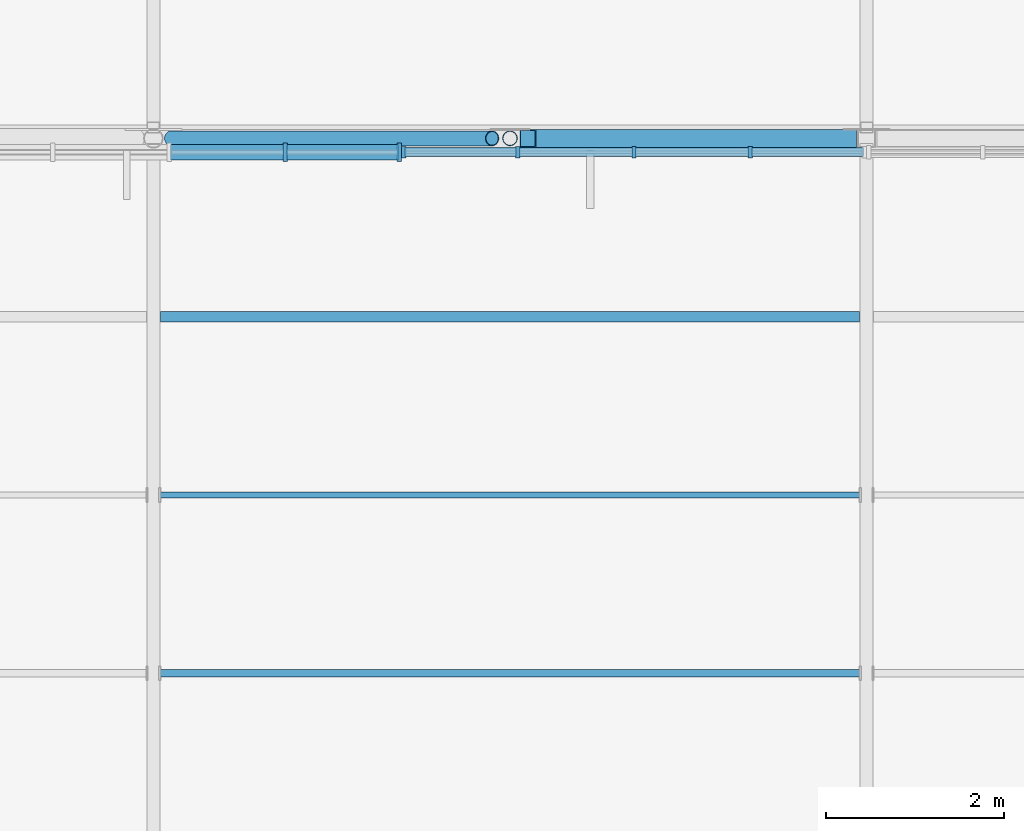
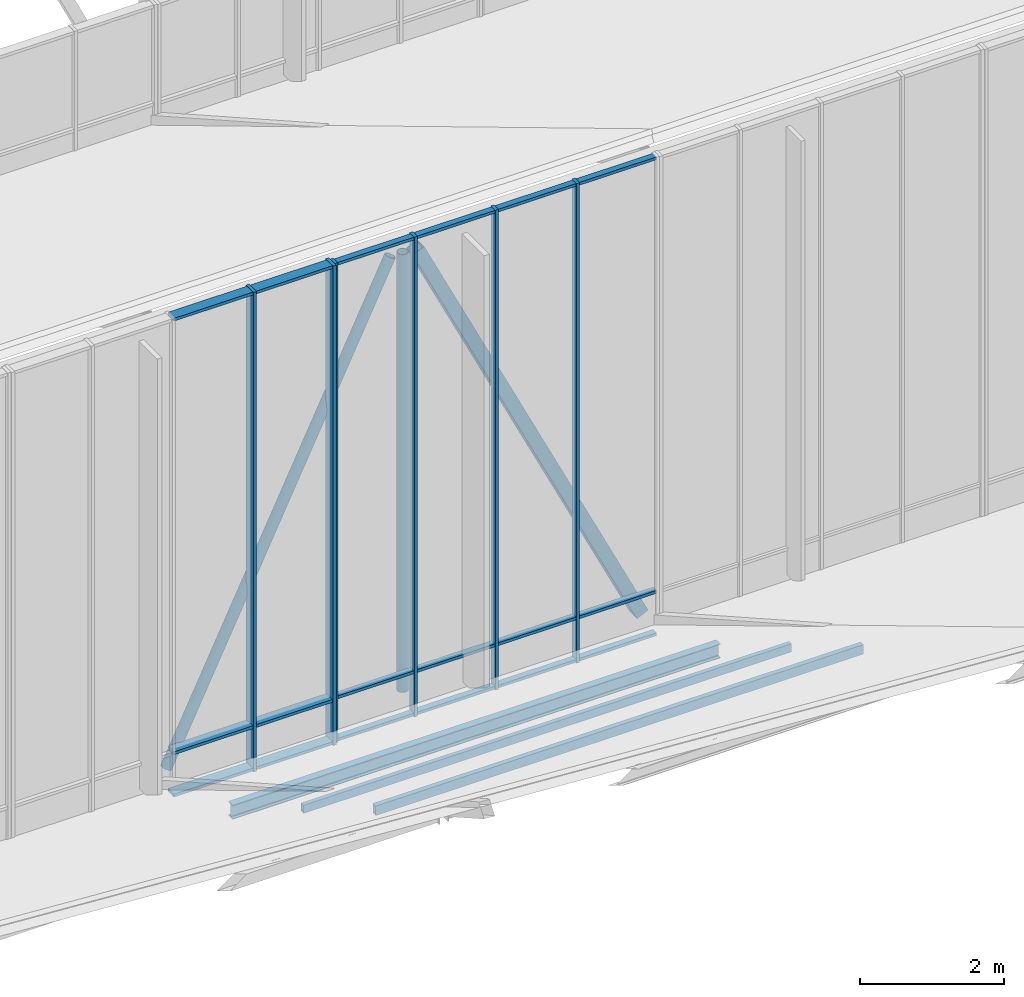
# One storey, part 53 of 155: 30 members, 2 elements without a shape of their own.
"""IFC4 building model written with IfcOpenShell, lengths in metres."""

import ifcopenshell
import ifcopenshell.guid

model = None  # the IFC model being written
_history = None  # IfcOwnerHistory: only IFC2X3 demands one
_inside = {}  # id of a spatial element -> (the spatial element, [elements in it])
_under = {}  # id of a project, library or spatial element -> (it, [spatial elements below it])
_declared = {}  # id of a project -> (the project, [libraries it declares])
_typed = {}  # id of a type object -> (the type object, [elements of that type])
_made_of = {}  # id of a material, layer set ... -> (it, [elements and type objects made of it])


def new_model(schema):
    """Start an empty IFC model of exactly this schema.

    Asked for "IFC4X3", IfcOpenShell would pick the latest addendum, in which some entities
    have other attributes; the version numbers below select the first issue.
    IFC2X3 requires an IfcOwnerHistory on every rooted entity: one is made here for all.
    """
    global model, _history
    if schema == "IFC4X3":
        model = ifcopenshell.file(schema_version=(4, 3, 0, 0))
    else:
        model = ifcopenshell.file(schema=schema)
    _inside.clear()
    _under.clear()
    _declared.clear()
    _typed.clear()
    _made_of.clear()
    _history = None
    if model.schema == "IFC2X3":
        org = make("IfcOrganization", Name="unknown")
        user = make(
            "IfcPersonAndOrganization",
            ThePerson=make("IfcPerson", FamilyName="unknown"),
            TheOrganization=org,
        )
        app = make(
            "IfcApplication",
            ApplicationDeveloper=org,
            Version="unknown",
            ApplicationFullName="unknown",
            ApplicationIdentifier="unknown",
        )
        _history = make(
            "IfcOwnerHistory",
            OwningUser=user,
            OwningApplication=app,
            ChangeAction="ADDED",
            CreationDate=0,
        )
    return model


def make(cls, **values):
    """One entity of the class cls with the attributes given. An attribute that is None is left unset."""
    return model.create_entity(
        cls, **{name: value for name, value in values.items() if value is not None}
    )


def rooted(cls, **values):
    """An entity with a GlobalId (a new one), such as an element, a storey or a relation."""
    return make(cls, GlobalId=ifcopenshell.guid.new(), OwnerHistory=_history, **values)


def si_unit(unit_type, name, prefix=None):
    """IfcSIUnit, for example si_unit("LENGTHUNIT", "METRE", prefix="MILLI")."""
    return make("IfcSIUnit", UnitType=unit_type, Prefix=prefix, Name=name)


def assignment(units):
    """IfcUnitAssignment: the units of a project."""
    return None if units is None else make("IfcUnitAssignment", Units=units)


def point(xyz):
    """IfcCartesianPoint."""
    return None if xyz is None else make("IfcCartesianPoint", Coordinates=xyz)


def direction(xyz):
    """IfcDirection."""
    return None if xyz is None else make("IfcDirection", DirectionRatios=xyz)


def frame(location, z_axis=None, x_axis=None):
    """IfcAxis2Placement3D, a coordinate frame: its origin and axes. An axis left out is left unset."""
    return make(
        "IfcAxis2Placement3D",
        Location=point(location),
        Axis=direction(z_axis),
        RefDirection=direction(x_axis),
    )


def frame_2d(location, x_axis=None):
    """IfcAxis2Placement2D, a coordinate frame in the plane: its origin and x axis."""
    return make(
        "IfcAxis2Placement2D", Location=point(location), RefDirection=direction(x_axis)
    )


def origin():
    """The frame at (0, 0, 0) with its axes left unset."""
    return frame((0.0, 0.0, 0.0))


def origin_2d():
    """The frame at (0, 0) in the plane with its x axis left unset."""
    return frame_2d((0.0, 0.0))


def place(relative_to, where):
    """IfcLocalPlacement: puts the frame where relative to a parent placement (None: the world)."""
    return make(
        "IfcLocalPlacement", PlacementRelTo=relative_to, RelativePlacement=where
    )


def context(
    kind, dimensions, precision=None, world=None, true_north=None, identifier=None
):
    """IfcGeometricRepresentationContext, for example the 3D "Model" context."""
    return make(
        "IfcGeometricRepresentationContext",
        ContextIdentifier=identifier,
        ContextType=kind,
        CoordinateSpaceDimension=dimensions,
        Precision=precision,
        WorldCoordinateSystem=world,
        TrueNorth=true_north,
    )


def subcontext(parent, identifier, kind, view, scale=None):
    """IfcGeometricRepresentationSubContext, for example "Body" below "Model"."""
    return make(
        "IfcGeometricRepresentationSubContext",
        ContextIdentifier=identifier,
        ContextType=kind,
        ParentContext=parent,
        TargetScale=scale,
        TargetView=view,
    )


def project(units=None, contexts=None):
    """IfcProject with its units and contexts."""
    return rooted(
        "IfcProject",
        Name="project",
        RepresentationContexts=contexts,
        UnitsInContext=assignment(units),
    )


def spatial(cls, under=None, at=None, **own):
    """A site, building, storey or space (cls), placed at a placement, below another one or the project."""
    s = rooted(cls, ObjectPlacement=at, **own)
    if under is not None:
        _under.setdefault(under.id(), (under, []))[1].append(s)
    return s


def profile(cls, at=None, kind="AREA", **sizes):
    """A parametric profile (cls). Its sizes go by their IFC names, for example OverallWidth=200.0."""
    return make(cls, ProfileType=kind, Position=at, **sizes)


def rectangle(**sizes):
    """IfcRectangleProfileDef."""
    return profile("IfcRectangleProfileDef", **sizes)


def hollow_rectangle(**sizes):
    """IfcRectangleHollowProfileDef."""
    return profile("IfcRectangleHollowProfileDef", **sizes)


def hollow_circle(**sizes):
    """IfcCircleHollowProfileDef."""
    return profile("IfcCircleHollowProfileDef", **sizes)


def i_section(**sizes):
    """IfcIShapeProfileDef."""
    return profile("IfcIShapeProfileDef", **sizes)


def extrude(swept, where, along, depth):
    """IfcExtrudedAreaSolid: the profile swept, set in the frame where, extruded along a direction by depth."""
    return make(
        "IfcExtrudedAreaSolid",
        SweptArea=swept,
        Position=where,
        ExtrudedDirection=direction(along),
        Depth=depth,
    )


def shape(context_of_items, identifier, shape_type, items):
    """IfcShapeRepresentation: the items that make up one representation, for example the "Body"."""
    return make(
        "IfcShapeRepresentation",
        ContextOfItems=context_of_items,
        RepresentationIdentifier=identifier,
        RepresentationType=shape_type,
        Items=items,
    )


def material(Name=None, Category=None):
    """IfcMaterial."""
    return make("IfcMaterial", Name=Name, Category=Category)


def material_profile(
    of_material, cross_section, Name=None, Category=None, Priority=None
):
    """IfcMaterialProfile: a cross section and its material."""
    return make(
        "IfcMaterialProfile",
        Name=Name,
        Material=of_material,
        Profile=cross_section,
        Priority=Priority,
        Category=Category,
    )


def profile_set(profiles, Name=None, composite=None):
    """IfcMaterialProfileSet."""
    return make(
        "IfcMaterialProfileSet",
        Name=Name,
        MaterialProfiles=profiles,
        CompositeProfile=composite,
    )


def made_of(thing, what):
    """Note that an element or type object is made of a material, layer set ...; save() writes the relation."""
    if what is not None:
        _made_of.setdefault(what.id(), (what, []))[1].append(thing)
    return thing


def type_object(cls, material=None, **own):
    """A type object (cls), such as IfcWallType, which elements share."""
    return made_of(rooted(cls, **own), material)


def element(
    cls,
    number,
    at=None,
    inside=None,
    cuts=None,
    type_object=None,
    material=None,
    context=None,
    identifier="Body",
    shape_type=None,
    held_by="IfcProductDefinitionShape",
    body=None,
    shapes=None,
    **own,
):
    """One element of the class cls, such as IfcWall. Its Tag is "e" and its number.

    at: its placement. inside: the storey or other place that contains it. cuts: it is an
    opening in that element (IfcRelVoidsElement). A single representation is given by context,
    identifier, shape_type and body (its items); several are given by shapes. held_by: the class
    of the entity that holds the representations. save() writes the other relations.
    """
    e = rooted(cls, Tag="e%d" % number, ObjectPlacement=at, **own)
    if body is not None:
        shapes = [shape(context, identifier, shape_type, body)]
    if shapes is not None:
        e.Representation = make(held_by, Representations=shapes)
    if inside is not None:
        _inside.setdefault(inside.id(), (inside, []))[1].append(e)
    if cuts is not None:
        rooted(
            "IfcRelVoidsElement", RelatingBuildingElement=cuts, RelatedOpeningElement=e
        )
    if type_object is not None:
        _typed.setdefault(type_object.id(), (type_object, []))[1].append(e)
    return made_of(e, material)


def aggregate(whole, parts):
    """IfcRelAggregates: a whole, such as a stair, and the parts it consists of."""
    return rooted("IfcRelAggregates", RelatingObject=whole, RelatedObjects=parts)


def save(model, path):
    """Write the relations noted so far, then the file.

    IfcRelAggregates (storeys below a building ...), IfcRelContainedInSpatialStructure (elements
    in a storey), IfcRelDefinesByType, IfcRelAssociatesMaterial and IfcRelDeclares: one each for
    every whole, place, type object, material and project.
    """
    for whole, parts in _under.values():
        aggregate(whole, parts)
    for where, things in _inside.values():
        rooted(
            "IfcRelContainedInSpatialStructure",
            RelatedElements=things,
            RelatingStructure=where,
        )
    for kind, things in _typed.values():
        rooted("IfcRelDefinesByType", RelatedObjects=things, RelatingType=kind)
    for what, things in _made_of.values():
        rooted("IfcRelAssociatesMaterial", RelatedObjects=things, RelatingMaterial=what)
    for by, libraries in _declared.values():
        rooted("IfcRelDeclares", RelatingContext=by, RelatedDefinitions=libraries)
    model.write(path)


model = new_model("IFC4")

# Units and contexts
model_context = context("Model", 3, precision=1e-05, world=origin(), true_north=direction((0.0, 1.0)))
body_context = subcontext(model_context, "Body", "Model", "MODEL_VIEW")
ifc_project = project(units=[si_unit("LENGTHUNIT", "METRE"), si_unit("AREAUNIT", "SQUARE_METRE"), si_unit("VOLUMEUNIT", "CUBIC_METRE"), si_unit("PLANEANGLEUNIT", "RADIAN"), si_unit("MASSUNIT", "GRAM", prefix="KILO")], contexts=[model_context])

# Site, building, storey
site_placement = place(None, origin())
site = spatial("IfcSite", under=ifc_project, at=site_placement, CompositionType="ELEMENT")
building_placement = place(site_placement, origin())
building = spatial("IfcBuilding", under=site, at=building_placement, Name="Larkveld Mobility Hub", CompositionType="ELEMENT")
storey_placement = place(building_placement, frame((0.0, 0.0, 8.39990234375)))
storey = spatial("IfcBuildingStorey", under=building, at=storey_placement, Name="L02", CompositionType="ELEMENT", Elevation=8.39990234375)

# Curtain wall, members
ifc_material_1 = material(Name="Anodised aluminium 6063-T6", Category="aluminium")
curtain_wall_type_1 = type_object("IfcCurtainWallType", Name="CW-SYS-03", PredefinedType="NOTDEFINED", material=ifc_material_1)
curtain_wall_1_placement = place(storey_placement, origin())
curtain_wall_1 = element("IfcCurtainWall", 1, at=curtain_wall_1_placement, inside=storey, type_object=curtain_wall_type_1, Name="Sawtooth South-Light Clerestory B4 CW-027", PredefinedType="NOTDEFINED")
ifc_material_profile_1 = material_profile(ifc_material_1, rectangle(XDim=0.050048828125, YDim=0.2099609375, at=origin_2d()), Name="ALU MULL 50x210")
ifc_profile_set_1 = profile_set([ifc_material_profile_1], Name="Anodised aluminium 6063-T6")
member_type_1 = type_object("IfcMemberType", Name="CW-MUL-03", PredefinedType="MULLION", material=ifc_profile_set_1)
member_1_placement = place(storey_placement, frame((161.47998046875, 69.844970703125, -0.001953125), z_axis=(0.0, 0.0, 1.0), x_axis=(1.0, 0.0, 0.0)))
member_1 = element("IfcMember", 2, at=member_1_placement, type_object=member_type_1, Name="CW03 mullion 4", PredefinedType="MULLION", context=body_context, shape_type="SweptSolid", body=[
    extrude(rectangle(XDim=0.050048828125, YDim=0.2099609375, at=origin_2d()), origin(), (0.0, 0.0, 1.0), 8.152099609375),
])
member_2_placement = place(storey_placement, frame((162.759033203125, 69.844970703125, -0.001953125), z_axis=(0.0, 0.0, 1.0), x_axis=(1.0, 0.0, 0.0)))
member_2 = element("IfcMember", 3, at=member_2_placement, type_object=member_type_1, Name="CW03 mullion 5", PredefinedType="MULLION", context=body_context, shape_type="SweptSolid", body=[
    extrude(rectangle(XDim=0.050048828125, YDim=0.2099609375, at=origin_2d()), origin(), (0.0, 0.0, 1.0), 8.152099609375),
])

curtain_wall_type_2 = type_object("IfcCurtainWallType", Name="CW-SYS-04", PredefinedType="NOTDEFINED", material=ifc_material_1)
curtain_wall_2_placement = place(storey_placement, origin())
curtain_wall_2 = element("IfcCurtainWall", 4, at=curtain_wall_2_placement, inside=storey, type_object=curtain_wall_type_2, Name="Sawtooth South-Light Clerestory B4 CW-028", PredefinedType="NOTDEFINED")
ifc_material_profile_2 = material_profile(ifc_material_1, rectangle(XDim=0.050048828125, YDim=0.1298828125, at=origin_2d()), Name="ALU MULL 50x130")
ifc_profile_set_2 = profile_set([ifc_material_profile_2], Name="Anodised aluminium 6063-T6")
member_type_2 = type_object("IfcMemberType", Name="CW-MUL-04", PredefinedType="MULLION", material=ifc_profile_set_2)
member_3_placement = place(storey_placement, frame((162.80810546875, 69.844970703125, -0.001953125), z_axis=(0.0, 0.0, 1.0), x_axis=(1.0, 0.0, 0.0)))
member_3 = element("IfcMember", 5, at=member_3_placement, type_object=member_type_2, Name="CW04 mullion 1", PredefinedType="MULLION", context=body_context, shape_type="SweptSolid", body=[
    extrude(rectangle(XDim=0.050048828125, YDim=0.1298828125, at=origin_2d()), origin(), (0.0, 0.0, 1.0), 8.152099609375),
])
member_4_placement = place(storey_placement, frame((164.0869140625, 69.844970703125, -0.001953125), z_axis=(0.0, 0.0, 1.0), x_axis=(1.0, 0.0, 0.0)))
member_4 = element("IfcMember", 6, at=member_4_placement, type_object=member_type_2, Name="CW04 mullion 2", PredefinedType="MULLION", context=body_context, shape_type="SweptSolid", body=[
    extrude(rectangle(XDim=0.050048828125, YDim=0.1298828125, at=origin_2d()), origin(), (0.0, 0.0, 1.0), 8.152099609375),
])
member_5_placement = place(storey_placement, frame((165.39111328125, 69.844970703125, -0.001953125), z_axis=(0.0, 0.0, 1.0), x_axis=(1.0, 0.0, 0.0)))
member_5 = element("IfcMember", 7, at=member_5_placement, type_object=member_type_2, Name="CW04 mullion 3", PredefinedType="MULLION", context=body_context, shape_type="SweptSolid", body=[
    extrude(rectangle(XDim=0.050048828125, YDim=0.1298828125, at=origin_2d()), origin(), (0.0, 0.0, 1.0), 8.152099609375),
])
member_6_placement = place(storey_placement, frame((166.695068359375, 69.844970703125, -0.001953125), z_axis=(0.0, 0.0, 1.0), x_axis=(1.0, 0.0, 0.0)))
member_6 = element("IfcMember", 8, at=member_6_placement, type_object=member_type_2, Name="CW04 mullion 4", PredefinedType="MULLION", context=body_context, shape_type="SweptSolid", body=[
    extrude(rectangle(XDim=0.050048828125, YDim=0.1298828125, at=origin_2d()), origin(), (0.0, 0.0, 1.0), 8.152099609375),
])

# Member
ifc_material_profile_3 = material_profile(ifc_material_1, rectangle(XDim=0.169921875, YDim=0.050048828125, at=origin_2d()), Name="ALU TRAN 50x170")
ifc_profile_set_3 = profile_set([ifc_material_profile_3], Name="Anodised aluminium 6063-T6")
member_type_3 = type_object("IfcMemberType", Name="CW-TRN-03", PredefinedType="USERDEFINED", material=ifc_profile_set_3)
member_7_placement = place(storey_placement, frame((160.18994140625, 69.844970703125, 0.030029296875), z_axis=(1.0, 0.0, 0.0), x_axis=(0.0, 1.0, 0.0)))
member_7 = element("IfcMember", 9, at=member_7_placement, type_object=member_type_3, Name="CW03 transom 3.1", ObjectType="TRANSOM", PredefinedType="USERDEFINED", context=body_context, shape_type="SweptSolid", body=[
    extrude(rectangle(XDim=0.169921875, YDim=0.050048828125, at=origin_2d()), origin(), (0.0, 0.0, 1.0), 1.275146484375),
])

member_8_placement = place(storey_placement, frame((160.18994140625, 69.844970703125, 0.75), z_axis=(1.0, 0.0, 0.0), x_axis=(0.0, 1.0, 0.0)))
member_8 = element("IfcMember", 10, at=member_8_placement, type_object=member_type_3, Name="CW03 transom 3.2", ObjectType="TRANSOM", PredefinedType="USERDEFINED", context=body_context, shape_type="SweptSolid", body=[
    extrude(rectangle(XDim=0.169921875, YDim=0.050048828125, at=origin_2d()), origin(), (0.0, 0.0, 1.0), 1.275146484375),
])

member_9_placement = place(storey_placement, frame((160.18994140625, 69.844970703125, 8.1181640625), z_axis=(1.0, 0.0, 0.0), x_axis=(0.0, 1.0, 0.0)))
member_9 = element("IfcMember", 11, at=member_9_placement, type_object=member_type_3, Name="CW03 transom 3.3", ObjectType="TRANSOM", PredefinedType="USERDEFINED", context=body_context, shape_type="SweptSolid", body=[
    extrude(rectangle(XDim=0.169921875, YDim=0.050048828125, at=origin_2d()), origin(), (0.0, 0.0, 1.0), 1.275146484375),
])

member_10_placement = place(storey_placement, frame((161.4951171875, 69.844970703125, 0.030029296875), z_axis=(1.0, 0.0, 0.0), x_axis=(0.0, 1.0, 0.0)))
member_10 = element("IfcMember", 12, at=member_10_placement, type_object=member_type_3, Name="CW03 transom 4.1", ObjectType="TRANSOM", PredefinedType="USERDEFINED", context=body_context, shape_type="SweptSolid", body=[
    extrude(rectangle(XDim=0.169921875, YDim=0.050048828125, at=origin_2d()), origin(), (0.0, 0.0, 1.0), 1.25390625),
])

member_11_placement = place(storey_placement, frame((161.4951171875, 69.844970703125, 0.75), z_axis=(1.0, 0.0, 0.0), x_axis=(0.0, 1.0, 0.0)))
member_11 = element("IfcMember", 13, at=member_11_placement, type_object=member_type_3, Name="CW03 transom 4.2", ObjectType="TRANSOM", PredefinedType="USERDEFINED", context=body_context, shape_type="SweptSolid", body=[
    extrude(rectangle(XDim=0.169921875, YDim=0.050048828125, at=origin_2d()), origin(), (0.0, 0.0, 1.0), 1.25390625),
])

member_12_placement = place(storey_placement, frame((161.4951171875, 69.844970703125, 8.1181640625), z_axis=(1.0, 0.0, 0.0), x_axis=(0.0, 1.0, 0.0)))
member_12 = element("IfcMember", 14, at=member_12_placement, type_object=member_type_3, Name="CW03 transom 4.3", ObjectType="TRANSOM", PredefinedType="USERDEFINED", context=body_context, shape_type="SweptSolid", body=[
    extrude(rectangle(XDim=0.169921875, YDim=0.050048828125, at=origin_2d()), origin(), (0.0, 0.0, 1.0), 1.25390625),
])

aggregate(curtain_wall_1, [member_1, member_2, member_7, member_8, member_9, member_10, member_11, member_12])

ifc_material_profile_4 = material_profile(ifc_material_1, rectangle(XDim=0.10009765625, YDim=0.050048828125, at=origin_2d()), Name="ALU TRAN 50x100")
ifc_profile_set_4 = profile_set([ifc_material_profile_4], Name="Anodised aluminium 6063-T6")
member_type_4 = type_object("IfcMemberType", Name="CW-TRN-04", PredefinedType="USERDEFINED", material=ifc_profile_set_4)
member_13_placement = place(storey_placement, frame((162.818115234375, 69.844970703125, 0.030029296875), z_axis=(1.0, 0.0, 0.0), x_axis=(0.0, 1.0, 0.0)))
member_13 = element("IfcMember", 15, at=member_13_placement, type_object=member_type_4, Name="CW04 transom 1.1", ObjectType="TRANSOM", PredefinedType="USERDEFINED", context=body_context, shape_type="SweptSolid", body=[
    extrude(rectangle(XDim=0.10009765625, YDim=0.050048828125, at=origin_2d()), origin(), (0.0, 0.0, 1.0), 1.25390625),
])

member_14_placement = place(storey_placement, frame((162.818115234375, 69.844970703125, 0.75), z_axis=(1.0, 0.0, 0.0), x_axis=(0.0, 1.0, 0.0)))
member_14 = element("IfcMember", 16, at=member_14_placement, type_object=member_type_4, Name="CW04 transom 1.2", ObjectType="TRANSOM", PredefinedType="USERDEFINED", context=body_context, shape_type="SweptSolid", body=[
    extrude(rectangle(XDim=0.10009765625, YDim=0.050048828125, at=origin_2d()), origin(), (0.0, 0.0, 1.0), 1.25390625),
])

member_15_placement = place(storey_placement, frame((162.818115234375, 69.844970703125, 8.1181640625), z_axis=(1.0, 0.0, 0.0), x_axis=(0.0, 1.0, 0.0)))
member_15 = element("IfcMember", 17, at=member_15_placement, type_object=member_type_4, Name="CW04 transom 1.3", ObjectType="TRANSOM", PredefinedType="USERDEFINED", context=body_context, shape_type="SweptSolid", body=[
    extrude(rectangle(XDim=0.10009765625, YDim=0.050048828125, at=origin_2d()), origin(), (0.0, 0.0, 1.0), 1.25390625),
])

member_16_placement = place(storey_placement, frame((164.10205078125, 69.844970703125, 0.030029296875), z_axis=(1.0, 0.0, 0.0), x_axis=(0.0, 1.0, 0.0)))
member_16 = element("IfcMember", 18, at=member_16_placement, type_object=member_type_4, Name="CW04 transom 2.1", ObjectType="TRANSOM", PredefinedType="USERDEFINED", context=body_context, shape_type="SweptSolid", body=[
    extrude(rectangle(XDim=0.10009765625, YDim=0.050048828125, at=origin_2d()), origin(), (0.0, 0.0, 1.0), 1.27392578125),
])

member_17_placement = place(storey_placement, frame((164.10205078125, 69.844970703125, 0.75), z_axis=(1.0, 0.0, 0.0), x_axis=(0.0, 1.0, 0.0)))
member_17 = element("IfcMember", 19, at=member_17_placement, type_object=member_type_4, Name="CW04 transom 2.2", ObjectType="TRANSOM", PredefinedType="USERDEFINED", context=body_context, shape_type="SweptSolid", body=[
    extrude(rectangle(XDim=0.10009765625, YDim=0.050048828125, at=origin_2d()), origin(), (0.0, 0.0, 1.0), 1.27392578125),
])

member_18_placement = place(storey_placement, frame((164.10205078125, 69.844970703125, 8.1181640625), z_axis=(1.0, 0.0, 0.0), x_axis=(0.0, 1.0, 0.0)))
member_18 = element("IfcMember", 20, at=member_18_placement, type_object=member_type_4, Name="CW04 transom 2.3", ObjectType="TRANSOM", PredefinedType="USERDEFINED", context=body_context, shape_type="SweptSolid", body=[
    extrude(rectangle(XDim=0.10009765625, YDim=0.050048828125, at=origin_2d()), origin(), (0.0, 0.0, 1.0), 1.27392578125),
])

member_19_placement = place(storey_placement, frame((165.406005859375, 69.844970703125, 0.030029296875), z_axis=(1.0, 0.0, 0.0), x_axis=(0.0, 1.0, 0.0)))
member_19 = element("IfcMember", 21, at=member_19_placement, type_object=member_type_4, Name="CW04 transom 3.1", ObjectType="TRANSOM", PredefinedType="USERDEFINED", context=body_context, shape_type="SweptSolid", body=[
    extrude(rectangle(XDim=0.10009765625, YDim=0.050048828125, at=origin_2d()), origin(), (0.0, 0.0, 1.0), 1.27392578125),
])

member_20_placement = place(storey_placement, frame((165.406005859375, 69.844970703125, 0.75), z_axis=(1.0, 0.0, 0.0), x_axis=(0.0, 1.0, 0.0)))
member_20 = element("IfcMember", 22, at=member_20_placement, type_object=member_type_4, Name="CW04 transom 3.2", ObjectType="TRANSOM", PredefinedType="USERDEFINED", context=body_context, shape_type="SweptSolid", body=[
    extrude(rectangle(XDim=0.10009765625, YDim=0.050048828125, at=origin_2d()), origin(), (0.0, 0.0, 1.0), 1.27392578125),
])

member_21_placement = place(storey_placement, frame((165.406005859375, 69.844970703125, 8.1181640625), z_axis=(1.0, 0.0, 0.0), x_axis=(0.0, 1.0, 0.0)))
member_21 = element("IfcMember", 23, at=member_21_placement, type_object=member_type_4, Name="CW04 transom 3.3", ObjectType="TRANSOM", PredefinedType="USERDEFINED", context=body_context, shape_type="SweptSolid", body=[
    extrude(rectangle(XDim=0.10009765625, YDim=0.050048828125, at=origin_2d()), origin(), (0.0, 0.0, 1.0), 1.27392578125),
])

member_22_placement = place(storey_placement, frame((166.7099609375, 69.844970703125, 0.030029296875), z_axis=(1.0, 0.0, 0.0), x_axis=(0.0, 1.0, 0.0)))
member_22 = element("IfcMember", 24, at=member_22_placement, type_object=member_type_4, Name="CW04 transom 4.1", ObjectType="TRANSOM", PredefinedType="USERDEFINED", context=body_context, shape_type="SweptSolid", body=[
    extrude(rectangle(XDim=0.10009765625, YDim=0.050048828125, at=origin_2d()), origin(), (0.0, 0.0, 1.0), 1.255126953125),
])

member_23_placement = place(storey_placement, frame((166.7099609375, 69.844970703125, 0.75), z_axis=(1.0, 0.0, 0.0), x_axis=(0.0, 1.0, 0.0)))
member_23 = element("IfcMember", 25, at=member_23_placement, type_object=member_type_4, Name="CW04 transom 4.2", ObjectType="TRANSOM", PredefinedType="USERDEFINED", context=body_context, shape_type="SweptSolid", body=[
    extrude(rectangle(XDim=0.10009765625, YDim=0.050048828125, at=origin_2d()), origin(), (0.0, 0.0, 1.0), 1.255126953125),
])

member_24_placement = place(storey_placement, frame((166.7099609375, 69.844970703125, 8.1181640625), z_axis=(1.0, 0.0, 0.0), x_axis=(0.0, 1.0, 0.0)))
member_24 = element("IfcMember", 26, at=member_24_placement, type_object=member_type_4, Name="CW04 transom 4.3", ObjectType="TRANSOM", PredefinedType="USERDEFINED", context=body_context, shape_type="SweptSolid", body=[
    extrude(rectangle(XDim=0.10009765625, YDim=0.050048828125, at=origin_2d()), origin(), (0.0, 0.0, 1.0), 1.255126953125),
])

aggregate(curtain_wall_2, [member_3, member_4, member_5, member_6, member_13, member_14, member_15, member_16, member_17, member_18, member_19, member_20, member_21, member_22, member_23, member_24])

# Members
ifc_material_2 = material(Name="Steel S355JR", Category="steel")
ifc_material_profile_5 = material_profile(ifc_material_2, hollow_circle(Radius=0.084228515625, WallThickness=0.008056640625, at=origin_2d()), Name="CHS 168.3x8")
ifc_profile_set_5 = profile_set([ifc_material_profile_5], Name="Steel S355JR")
member_type_5 = type_object("IfcMemberType", Name="MB-BR-CHS168", PredefinedType="BRACE", material=ifc_profile_set_5)
member_25_placement = place(storey_placement, frame((160.199951171875, 70.0, 0.360107421875), z_axis=(0.435573281392, 0.0, 0.900153273914), x_axis=(0.0, 1.0, 0.0)))
element("IfcMember", 27, at=member_25_placement, inside=storey, type_object=member_type_5, Name="ROOF TRUSS T4 Web Diagonal 3", PredefinedType="BRACE", context=body_context, shape_type="SweptSolid", body=[
    extrude(hollow_circle(Radius=0.084228515625, WallThickness=0.008056640625, at=origin_2d()), origin(), (0.0, 0.0, 1.0), 8.26513671875),
])
member_26_placement = place(storey_placement, frame((164.0, 70.0, 0.360107421875), z_axis=(0.0, 0.0, 1.0), x_axis=(1.0, 0.0, 0.0)))
element("IfcMember", 28, at=member_26_placement, inside=storey, type_object=member_type_5, Name="ROOF TRUSS T4 Vertical Post 3", PredefinedType="BRACE", context=body_context, shape_type="SweptSolid", body=[
    extrude(hollow_circle(Radius=0.084228515625, WallThickness=0.008056640625, at=origin_2d()), origin(), (0.0, 0.0, 1.0), 7.43994140625),
])
ifc_material_profile_6 = material_profile(ifc_material_2, hollow_rectangle(XDim=0.199951171875, YDim=0.199951171875, WallThickness=0.010009765625, at=origin_2d()), Name="SHS 200x200x10")
ifc_profile_set_6 = profile_set([ifc_material_profile_6], Name="Steel S355JR")
member_type_6 = type_object("IfcMemberType", Name="MB-BR-SHS200", PredefinedType="BRACE", material=ifc_profile_set_6)
member_27_placement = place(storey_placement, frame((164.199951171875, 70.0, 7.800048828125), z_axis=(0.435573281392, 0.0, -0.900153273914), x_axis=(0.0, 1.0, 0.0)))
element("IfcMember", 29, at=member_27_placement, inside=storey, type_object=member_type_6, Name="ROOF TRUSS T4 Web Diagonal 4", PredefinedType="BRACE", context=body_context, shape_type="SweptSolid", body=[
    extrude(hollow_rectangle(XDim=0.199951171875, YDim=0.199951171875, WallThickness=0.010009765625, at=origin_2d()), origin(), (0.0, 0.0, 1.0), 8.26513671875),
])
ifc_material_profile_7 = material_profile(ifc_material_2, i_section(OverallWidth=0.1201171875, OverallDepth=0.239990234375, WebThickness=0.006103515625, FlangeThickness=0.009765625, FilletRadius=0.014892578125, at=origin_2d()), Name="IPE 240")
ifc_profile_set_7 = profile_set([ifc_material_profile_7], Name="Steel S355JR")
member_type_7 = type_object("IfcMemberType", Name="MB-PR-IPE240", PredefinedType="PURLIN", material=ifc_profile_set_7)
member_28_placement = place(storey_placement, frame((160.080078125, 68.0, 0.88720703125), z_axis=(1.0, 0.0, 0.0), x_axis=(0.0, 1.0, 0.0)))
element("IfcMember", 30, at=member_28_placement, inside=storey, type_object=member_type_7, Name="Sawtooth Roof Purlin B3-6.2", PredefinedType="PURLIN", context=body_context, shape_type="SweptSolid", body=[
    extrude(i_section(OverallWidth=0.1201171875, OverallDepth=0.239990234375, WebThickness=0.006103515625, FlangeThickness=0.009765625, FilletRadius=0.014892578125, at=origin_2d()), origin(), (0.0, 0.0, 1.0), 7.83984375),
])
ifc_material_profile_8 = material_profile(ifc_material_2, hollow_rectangle(XDim=0.070068359375, YDim=0.139892578125, WallThickness=0.00634765625, at=origin_2d()), Name="RHS 140x70x6.3")
ifc_profile_set_8 = profile_set([ifc_material_profile_8], Name="Steel S355JR")
member_type_8 = type_object("IfcMemberType", Name="MB-PR-RHS140", PredefinedType="PURLIN", material=ifc_profile_set_8)
member_29_placement = place(storey_placement, frame((160.080078125, 66.0, 2.13720703125), z_axis=(1.0, 0.0, 0.0), x_axis=(0.0, 1.0, 0.0)))
element("IfcMember", 31, at=member_29_placement, inside=storey, type_object=member_type_8, Name="Sawtooth Roof Purlin B3-5.2", PredefinedType="PURLIN", context=body_context, shape_type="SweptSolid", body=[
    extrude(hollow_rectangle(XDim=0.070068359375, YDim=0.139892578125, WallThickness=0.00634765625, at=origin_2d()), origin(), (0.0, 0.0, 1.0), 7.83984375),
])
ifc_material_profile_9 = material_profile(ifc_material_2, hollow_rectangle(XDim=0.080078125, YDim=0.159912109375, WallThickness=0.008056640625, at=origin_2d()), Name="RHS 160x80x8")
ifc_profile_set_9 = profile_set([ifc_material_profile_9], Name="Steel S355JR")
member_type_9 = type_object("IfcMemberType", Name="MB-PR-RHS160", PredefinedType="PURLIN", material=ifc_profile_set_9)
member_30_placement = place(storey_placement, frame((160.080078125, 64.0, 3.3271484375), z_axis=(1.0, 0.0, 0.0), x_axis=(0.0, 1.0, 0.0)))
element("IfcMember", 32, at=member_30_placement, inside=storey, type_object=member_type_9, Name="Sawtooth Roof Purlin B3-4.2", PredefinedType="PURLIN", context=body_context, shape_type="SweptSolid", body=[
    extrude(hollow_rectangle(XDim=0.080078125, YDim=0.159912109375, WallThickness=0.008056640625, at=origin_2d()), origin(), (0.0, 0.0, 1.0), 7.83984375),
])

save(model, "model.ifc")
